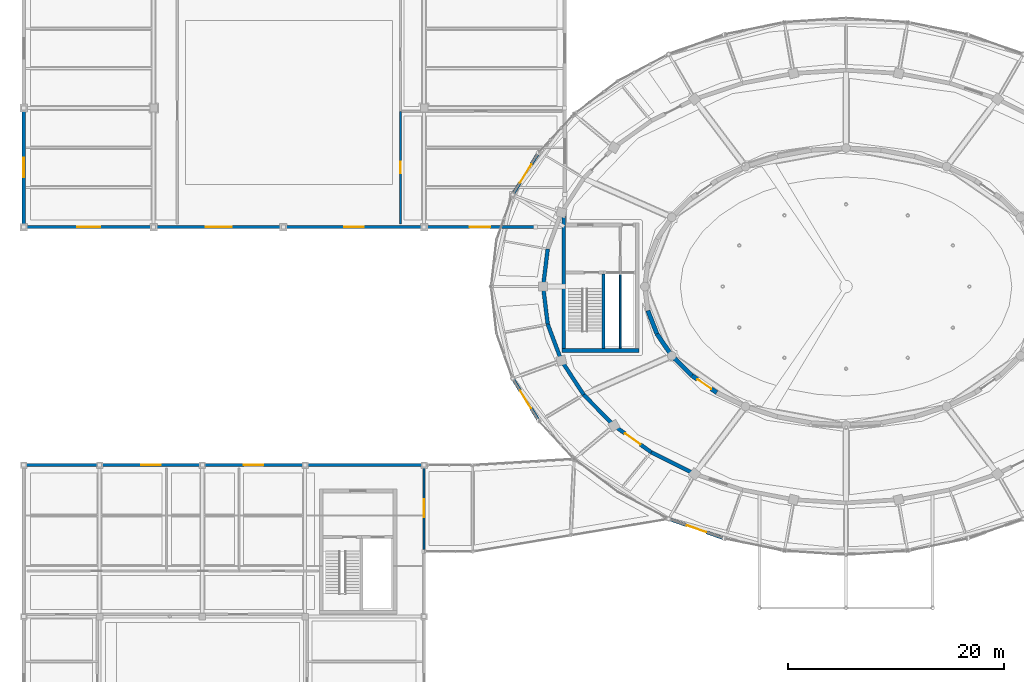
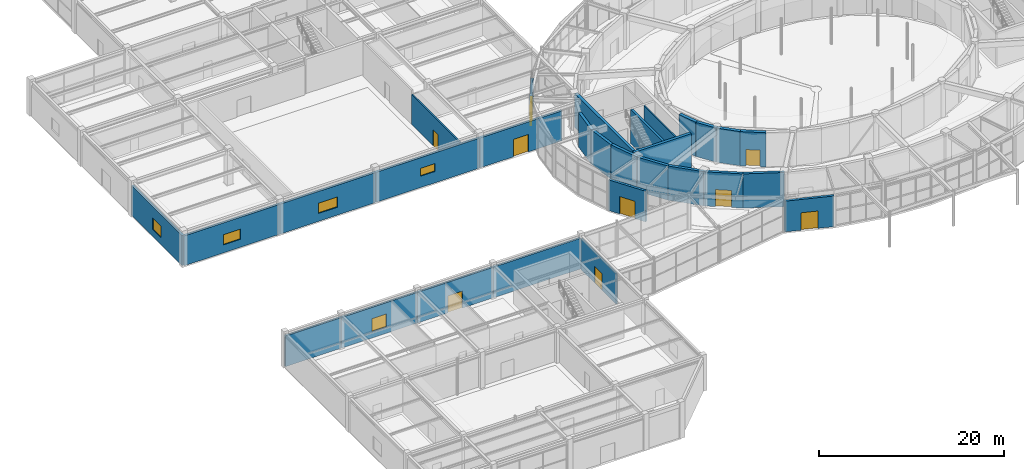
# One storey, part 87 of 108: 29 walls, 9 doors, 5 windows, 14 openings.
"""IFC4 building model written with IfcOpenShell, lengths in metres."""

from ifc_helpers import new_model, si_unit, direction, frame, frame_2d, origin, place, context, subcontext, project, spatial, rectangle, extrude, material, layer, layer_set, type_object, element, fill, save


model = new_model("IFC4")

# Units and contexts
model_context = context("Model", 3, precision=1e-05, world=origin(), true_north=direction((0.0, 1.0)))
body_context = subcontext(model_context, "Body", "Model", "MODEL_VIEW")
ifc_project = project(units=[si_unit("LENGTHUNIT", "METRE"), si_unit("AREAUNIT", "SQUARE_METRE"), si_unit("VOLUMEUNIT", "CUBIC_METRE"), si_unit("PLANEANGLEUNIT", "RADIAN"), si_unit("MASSUNIT", "GRAM", prefix="KILO")], contexts=[model_context])

# Site, building, storey
site_placement = place(None, origin())
site = spatial("IfcSite", under=ifc_project, at=site_placement, CompositionType="ELEMENT")
building_placement = place(site_placement, origin())
building = spatial("IfcBuilding", under=site, at=building_placement, Name="Tarnveldt Headland Concert Hall", CompositionType="ELEMENT")
storey_placement = place(building_placement, origin())
storey = spatial("IfcBuildingStorey", under=building, at=storey_placement, Name="L00", CompositionType="ELEMENT", Elevation=0.0)

# Walls
ifc_material_1 = material(Name="Concrete C40/50", Category="concrete")
ifc_layer_1 = layer(ifc_material_1, 0.39990234375, Name="Concrete C40/50", Category="concrete")
ifc_layer_set_1 = layer_set([ifc_layer_1], Name="Concrete C40/50")
wall_type_1 = type_object("IfcWallType", Name="WL-AC400", PredefinedType="SOLIDWALL", material=ifc_layer_set_1)
wall_1_placement = place(storey_placement, frame((65.1826171875, 52.27734375, 0.0), z_axis=(0.0, 0.0, 1.0), x_axis=(0.362802811216, -0.931865934657, 0.0)))
element("IfcWall", 1, at=wall_1_placement, inside=storey, type_object=wall_type_1, Name="Acoustic inner box wall L00-20", PredefinedType="SOLIDWALL", context=body_context, shape_type="SweptSolid", body=[
    extrude(rectangle(XDim=2.312744140625, YDim=0.39990234375, at=frame_2d((1.15625, 0.0))), origin(), (0.0, 0.0, 1.0), 4.52001953125),
])
wall_2_placement = place(storey_placement, frame((66.021728515625, 50.1220703125, 0.0), z_axis=(0.0, 0.0, 1.0), x_axis=(0.560958648975, -0.827843822312, 0.0)))
element("IfcWall", 2, at=wall_2_placement, inside=storey, type_object=wall_type_1, Name="Acoustic inner box wall L00-21", PredefinedType="SOLIDWALL", context=body_context, shape_type="SweptSolid", body=[
    extrude(rectangle(XDim=2.4423828125, YDim=0.39990234375, at=frame_2d((1.22119140625, 0.0))), origin(), (0.0, 0.0, 1.0), 4.52001953125),
])
wall_3_placement = place(storey_placement, frame((67.391845703125, 48.10009765625, 0.0), z_axis=(0.0, 0.0, 1.0), x_axis=(0.713212431679, -0.700947949065, 0.0)))
element("IfcWall", 3, at=wall_3_placement, inside=storey, type_object=wall_type_1, Name="Acoustic inner box wall L00-22", PredefinedType="SOLIDWALL", context=body_context, shape_type="SweptSolid", body=[
    extrude(rectangle(XDim=2.607666015625, YDim=0.39990234375, at=frame_2d((1.3037109375, 0.0))), origin(), (0.0, 0.0, 1.0), 4.52001953125),
])

# Wall, opening, door
wall_4_placement = place(storey_placement, frame((69.251708984375, 46.272216796875, 0.0), z_axis=(0.0, 0.0, 1.0), x_axis=(0.823780742291, -0.566908536388, 0.0)))
wall_4 = element("IfcWall", 4, at=wall_4_placement, inside=storey, type_object=wall_type_1, Name="Acoustic inner box wall L00-23", PredefinedType="SOLIDWALL", context=body_context, shape_type="SweptSolid", body=[
    extrude(rectangle(XDim=2.782958984375, YDim=0.39990234375, at=frame_2d((1.3916015625, 0.0))), origin(), (0.0, 0.0, 1.0), 4.52001953125),
])
opening_1_placement = place(wall_4_placement, frame((0.616455078125, 0.0, 0.0)))
opening_1 = element("IfcOpeningElement", 5, at=opening_1_placement, cuts=wall_4, Name="Opening AD-I031", PredefinedType="OPENING", context=body_context, shape_type="SweptSolid", body=[
    extrude(rectangle(XDim=1.550048828125, YDim=2.179931640625, at=frame_2d((0.77490234375, 1.08984375))), frame((0.0, 0.2099609375, 0.0), z_axis=(0.0, -1.0, 0.0), x_axis=(1.0, 0.0, 0.0)), (0.0, 0.0, 1.0), 0.419921875),
])
ifc_material_2 = material(Name="Treated East African mvule hardwood", Category="wood")
door_type_1 = type_object("IfcDoorType", Name="DR-AC155", OperationType="NOTDEFINED", PredefinedType="DOOR", material=ifc_material_2)
door_1_placement = place(opening_1_placement, origin())
door_1 = element("IfcDoor", 6, at=door_1_placement, inside=storey, type_object=door_type_1, Name="Auditorium sound-lock vomitory door L00-23", OperationType="SINGLE_SWING_LEFT", OverallHeight=2.179931640625, OverallWidth=1.550048828125, PredefinedType="DOOR", context=body_context, shape_type="SweptSolid", body=[
    extrude(rectangle(XDim=1.550048828125, YDim=2.179931640625, at=frame_2d((0.77490234375, 1.08984375))), frame((0.0, 0.02490234375, 0.0), z_axis=(0.0, -1.0, 0.0), x_axis=(1.0, 0.0, 0.0)), (0.0, 0.0, 1.0), 0.050048828125),
])
fill(opening_1, door_1)

# Walls
ifc_layer_2 = layer(ifc_material_1, 0.35009765625, Name="Concrete C40/50", Category="concrete")
ifc_layer_set_2 = layer_set([ifc_layer_2], Name="Concrete C40/50")
wall_type_2 = type_object("IfcWallType", Name="WL-CR350", PredefinedType="SHEAR", material=ifc_layer_set_2)
for number, where, z_axis, x_axis, name in (
    (7, (55.92529296875, 57.972900390625, 0.0), (0.0, 0.0, 1.0), (-0.121552414401, -0.99258501427, 0.0), "Symphony drum shear wall L00-18"),
    (8, (55.5, 54.5, 0.0), (0.0, 0.0, 1.0), (0.121552414401, -0.99258501427, 0.0), "Symphony drum shear wall L00-19"),
):
    element("IfcWall", number, at=place(storey_placement, frame(where, z_axis=z_axis, x_axis=x_axis)), inside=storey, type_object=wall_type_2, Name=name, PredefinedType="SHEAR", context=body_context, shape_type="SweptSolid", body=[
        extrude(rectangle(XDim=3.498779296875, YDim=0.35009765625, at=frame_2d((1.74951171875, 0.0))), origin(), (0.0, 0.0, 1.0), 4.52001953125),
    ])
wall_5_placement = place(storey_placement, frame((55.92529296875, 51.027099609375, 0.0), z_axis=(0.0, 0.0, 1.0), x_axis=(0.351279653979, -0.936270583058, 0.0)))
element("IfcWall", 9, at=wall_5_placement, inside=storey, type_object=wall_type_2, Name="Symphony drum shear wall L00-20", PredefinedType="SHEAR", context=body_context, shape_type="SweptSolid", body=[
    extrude(rectangle(XDim=3.5966796875, YDim=0.35009765625, at=frame_2d((1.79833984375, 0.0))), origin(), (0.0, 0.0, 1.0), 4.52001953125),
])
wall_6_placement = place(storey_placement, frame((57.188720703125, 47.65966796875, 0.0), z_axis=(0.0, 0.0, 1.0), x_axis=(0.546611158382, -0.837386554425, 0.0)))
element("IfcWall", 10, at=wall_6_placement, inside=storey, type_object=wall_type_2, Name="Symphony drum shear wall L00-21", PredefinedType="SHEAR", context=body_context, shape_type="SweptSolid", body=[
    extrude(rectangle(XDim=3.773193359375, YDim=0.35009765625, at=frame_2d((1.88671875, 0.0))), origin(), (0.0, 0.0, 1.0), 4.52001953125),
])
wall_7_placement = place(storey_placement, frame((59.251220703125, 44.5, 0.0), z_axis=(0.0, 0.0, 1.0), x_axis=(0.700051268358, -0.714092586203, 0.0)))
element("IfcWall", 11, at=wall_7_placement, inside=storey, type_object=wall_type_2, Name="Symphony drum shear wall L00-22", PredefinedType="SHEAR", context=body_context, shape_type="SweptSolid", body=[
    extrude(rectangle(XDim=3.9990234375, YDim=0.35009765625, at=frame_2d((1.99951171875, 0.0))), origin(), (0.0, 0.0, 1.0), 4.52001953125),
])

# Wall, opening, door
wall_8_placement = place(storey_placement, frame((62.05078125, 41.644287109375, 0.0), z_axis=(0.0, 0.0, 1.0), x_axis=(0.813737360708, -0.581232748378, 0.0)))
wall_8 = element("IfcWall", 12, at=wall_8_placement, inside=storey, type_object=wall_type_2, Name="Symphony drum shear wall L00-23", PredefinedType="SHEAR", context=body_context, shape_type="SweptSolid", body=[
    extrude(rectangle(XDim=4.2412109375, YDim=0.35009765625, at=frame_2d((2.12060546875, 0.0))), origin(), (0.0, 0.0, 1.0), 4.52001953125),
])
opening_2_placement = place(wall_8_placement, frame((1.24560546875, 0.0, 0.0)))
opening_2 = element("IfcOpeningElement", 13, at=opening_2_placement, cuts=wall_8, Name="Opening AD-O009", PredefinedType="OPENING", context=body_context, shape_type="SweptSolid", body=[
    extrude(rectangle(XDim=1.75, YDim=2.25, at=frame_2d((0.875, 1.125))), frame((0.0, 0.18505859375, 0.0), z_axis=(0.0, -1.0, 0.0), x_axis=(1.0, 0.0, 0.0)), (0.0, 0.0, 1.0), 0.3701171875),
])
door_type_2 = type_object("IfcDoorType", Name="DR-AC175", OperationType="NOTDEFINED", PredefinedType="DOOR", material=ifc_material_2)
door_2_placement = place(opening_2_placement, origin())
door_2 = element("IfcDoor", 14, at=door_2_placement, inside=storey, type_object=door_type_2, Name="Drum concourse acoustic door L00-23", OperationType="SINGLE_SWING_LEFT", OverallHeight=2.25, OverallWidth=1.75, PredefinedType="DOOR", context=body_context, shape_type="SweptSolid", body=[
    extrude(rectangle(XDim=1.75, YDim=2.25, at=frame_2d((0.875, 1.125))), frame((0.0, 0.02490234375, 0.0), z_axis=(0.0, -1.0, 0.0), x_axis=(1.0, 0.0, 0.0)), (0.0, 0.0, 1.0), 0.050048828125),
])
fill(opening_2, door_2)

# Walls
wall_9_placement = place(storey_placement, frame((65.501953125, 39.17919921875, 0.0), z_axis=(0.0, 0.0, 1.0), x_axis=(0.894361644392, -0.447344664705, 0.0)))
element("IfcWall", 15, at=wall_9_placement, inside=storey, type_object=wall_type_2, Name="Symphony drum shear wall L00-24", PredefinedType="SHEAR", context=body_context, shape_type="SweptSolid", body=[
    extrude(rectangle(XDim=4.47021484375, YDim=0.35009765625, at=frame_2d((2.235107421875, 0.0))), origin(), (0.0, 0.0, 1.0), 4.52001953125),
])
wall_10_placement = place(storey_placement, frame((57.22509765625, 48.60009765625, 0.0), z_axis=(0.0, 0.0, 1.0), x_axis=(1.0, 0.0, 0.0)))
element("IfcWall", 16, at=wall_10_placement, inside=storey, type_object=wall_type_2, Name="Core C1 south shear wall L00", PredefinedType="SHEAR", context=body_context, shape_type="SweptSolid", body=[
    extrude(rectangle(XDim=7.14990234375, YDim=0.35009765625, at=frame_2d((3.574951171875, 0.0))), origin(), (0.0, 0.0, 1.0), 4.52001953125),
])
wall_11_placement = place(storey_placement, frame((57.39990234375, 48.77490234375, 0.0), z_axis=(0.0, 0.0, 1.0), x_axis=(0.0, 1.0, 0.0)))
element("IfcWall", 17, at=wall_11_placement, inside=storey, type_object=wall_type_2, Name="Core C1 west shear wall L00", PredefinedType="SHEAR", context=body_context, shape_type="SweptSolid", body=[
    extrude(rectangle(XDim=12.565185546875, YDim=0.35009765625, at=frame_2d((6.28271484375, 0.0))), origin(), (0.0, 0.0, 1.0), 4.52001953125),
])
ifc_material_3 = material(Name="Coral-toned precast concrete C40/50", Category="concrete")
ifc_layer_3 = layer(ifc_material_3, 0.25, Name="Coral-toned precast concrete C40/50", Category="concrete")
ifc_layer_set_3 = layer_set([ifc_layer_3], Name="Coral-toned precast concrete C40/50")
wall_type_3 = type_object("IfcWallType", Name="WL-EX250", PredefinedType="SOLIDWALL", material=ifc_layer_set_3)
wall_12_placement = place(storey_placement, frame((33.52001953125, 38.0, 0.0), z_axis=(0.0, 0.0, 1.0), x_axis=(1.0, 0.0, 0.0)))
element("IfcWall", 18, at=wall_12_placement, inside=storey, type_object=wall_type_3, Name="External precast wall L00-207", PredefinedType="SOLIDWALL", context=body_context, shape_type="SweptSolid", body=[
    extrude(rectangle(XDim=10.9599609375, YDim=0.25, at=frame_2d((5.47998046875, 0.0))), origin(), (0.0, 0.0, 1.0), 4.05810546875),
])

# Wall, opening, door
wall_13_placement = place(storey_placement, frame((24.02001953125, 38.0, 0.0), z_axis=(0.0, 0.0, 1.0), x_axis=(1.0, 0.0, 0.0)))
wall_13 = element("IfcWall", 19, at=wall_13_placement, inside=storey, type_object=wall_type_3, Name="External precast wall L00-208", PredefinedType="SOLIDWALL", context=body_context, shape_type="SweptSolid", body=[
    extrude(rectangle(XDim=9.4599609375, YDim=0.25, at=frame_2d((4.72998046875, 0.0))), origin(), (0.0, 0.0, 1.0), 4.05810546875),
])
opening_3_placement = place(wall_13_placement, frame((3.830078125, 0.0, 0.0)))
opening_3 = element("IfcOpeningElement", 20, at=opening_3_placement, cuts=wall_13, Name="Opening EX-14", PredefinedType="OPENING", context=body_context, shape_type="SweptSolid", body=[
    extrude(rectangle(XDim=1.800048828125, YDim=2.25, at=frame_2d((0.89990234375, 1.125))), frame((0.0, 0.135009765625, 0.0), z_axis=(0.0, -1.0, 0.0), x_axis=(1.0, 0.0, 0.0)), (0.0, 0.0, 1.0), 0.27001953125),
])
ifc_material_4 = material(Name="Marine-anodised aluminium EN AW-6063-T6", Category="aluminium")
door_type_3 = type_object("IfcDoorType", Name="DR-EX180", OperationType="NOTDEFINED", PredefinedType="DOOR", material=ifc_material_4)
door_3_placement = place(opening_3_placement, origin())
door_3 = element("IfcDoor", 21, at=door_3_placement, inside=storey, type_object=door_type_3, Name="Chamber pavilion exit door EX-14", OperationType="DOUBLE_DOOR_SINGLE_SWING", OverallHeight=2.25, OverallWidth=1.800048828125, PredefinedType="DOOR", context=body_context, shape_type="SweptSolid", body=[
    extrude(rectangle(XDim=1.800048828125, YDim=2.25, at=frame_2d((0.89990234375, 1.125))), frame((0.0, 0.02490234375, 0.0), z_axis=(0.0, -1.0, 0.0), x_axis=(1.0, 0.0, 0.0)), (0.0, 0.0, 1.0), 0.050048828125),
])
fill(opening_3, door_3)

# Wall, opening, window
wall_14_placement = place(storey_placement, frame((14.52001953125, 38.0, 0.0), z_axis=(0.0, 0.0, 1.0), x_axis=(1.0, 0.0, 0.0)))
wall_14 = element("IfcWall", 22, at=wall_14_placement, inside=storey, type_object=wall_type_3, Name="External precast wall L00-209", PredefinedType="SOLIDWALL", context=body_context, shape_type="SweptSolid", body=[
    extrude(rectangle(XDim=9.4599609375, YDim=0.25, at=frame_2d((4.72998046875, 0.0))), origin(), (0.0, 0.0, 1.0), 4.05810546875),
])
opening_4_placement = place(wall_14_placement, frame((3.830078125, 0.0, 0.85009765625)))
opening_4 = element("IfcOpeningElement", 23, at=opening_4_placement, cuts=wall_14, Name="Opening W-P098", PredefinedType="OPENING", context=body_context, shape_type="SweptSolid", body=[
    extrude(rectangle(XDim=1.800048828125, YDim=1.699951171875, at=frame_2d((0.89990234375, 0.85009765625))), frame((0.0, 0.135009765625, 0.0), z_axis=(0.0, -1.0, 0.0), x_axis=(1.0, 0.0, 0.0)), (0.0, 0.0, 1.0), 0.27001953125),
])
ifc_material_5 = material(Name="Acoustic laminated low-iron double glazing", Category="glass")
window_type_1 = type_object("IfcWindowType", Name="WN-12", PartitioningType="SINGLE_PANEL", PredefinedType="WINDOW", material=ifc_material_5)
window_1_placement = place(opening_4_placement, origin())
window_1 = element("IfcWindow", 24, at=window_1_placement, inside=storey, type_object=window_type_1, Name="Chamber pavilion window L00-N3", OverallHeight=1.699951171875, OverallWidth=1.800048828125, PartitioningType="SINGLE_PANEL", PredefinedType="WINDOW", context=body_context, shape_type="SweptSolid", body=[
    extrude(rectangle(XDim=1.800048828125, YDim=1.699951171875, at=frame_2d((0.89990234375, 0.85009765625))), frame((0.0, 0.030029296875, 0.0), z_axis=(0.0, -1.0, 0.0), x_axis=(1.0, 0.0, 0.0)), (0.0, 0.0, 1.0), 0.06005859375),
])
fill(opening_4, window_1)

# Wall
wall_15_placement = place(storey_placement, frame((7.52001953125, 38.0, 0.0), z_axis=(0.0, 0.0, 1.0), x_axis=(1.0, 0.0, 0.0)))
element("IfcWall", 25, at=wall_15_placement, inside=storey, type_object=wall_type_3, Name="External precast wall L00-210", PredefinedType="SOLIDWALL", context=body_context, shape_type="SweptSolid", body=[
    extrude(rectangle(XDim=6.9599609375, YDim=0.25, at=frame_2d((3.47998046875, 0.0))), origin(), (0.0, 0.0, 1.0), 4.05810546875),
])

# Wall, opening, door
ifc_layer_4 = layer(ifc_material_3, 0.300048828125, Name="Coral-toned precast concrete C40/50", Category="concrete")
ifc_layer_set_4 = layer_set([ifc_layer_4], Name="Coral-toned precast concrete C40/50")
wall_type_4 = type_object("IfcWallType", Name="WL-EX300", PredefinedType="SOLIDWALL", material=ifc_layer_set_4)
wall_16_placement = place(storey_placement, frame((52.688720703125, 62.9990234375, 0.0), z_axis=(0.0, 0.0, 1.0), x_axis=(0.524906145614, 0.851160113197, 0.0)))
wall_16 = element("IfcWall", 26, at=wall_16_placement, inside=storey, type_object=wall_type_4, Name="External precast wall L00-40", PredefinedType="SOLIDWALL", context=body_context, shape_type="SweptSolid", body=[
    extrude(rectangle(XDim=4.563232421875, YDim=0.300048828125, at=frame_2d((2.28173828125, 0.0))), origin(), (0.0, 0.0, 1.0), 3.9580078125),
])
opening_5_placement = place(wall_16_placement, frame((1.281494140625, 0.0, 0.0)))
opening_5 = element("IfcOpeningElement", 27, at=opening_5_placement, cuts=wall_16, Name="Opening EX-04", PredefinedType="OPENING", context=body_context, shape_type="SweptSolid", body=[
    extrude(rectangle(XDim=2.0, YDim=2.300048828125, at=frame_2d((1.0, 1.14990234375))), frame((0.0, 0.159912109375, 0.0), z_axis=(0.0, -1.0, 0.0), x_axis=(1.0, 0.0, 0.0)), (0.0, 0.0, 1.0), 0.320068359375),
])
door_type_4 = type_object("IfcDoorType", Name="DR-EX200", OperationType="NOTDEFINED", PredefinedType="DOOR", material=ifc_material_4)
door_4_placement = place(opening_5_placement, origin())
door_4 = element("IfcDoor", 28, at=door_4_placement, inside=storey, type_object=door_type_4, Name="Foyer final exit door EX-04", OperationType="DOUBLE_DOOR_SINGLE_SWING", OverallHeight=2.300048828125, OverallWidth=2.0, PredefinedType="DOOR", context=body_context, shape_type="SweptSolid", body=[
    extrude(rectangle(XDim=2.0, YDim=2.300048828125, at=frame_2d((1.0, 1.14990234375))), frame((0.0, 0.02490234375, 0.0), z_axis=(0.0, -1.0, 0.0), x_axis=(1.0, 0.0, 0.0)), (0.0, 0.0, 1.0), 0.050048828125),
])
fill(opening_5, door_4)

wall_17_placement = place(storey_placement, frame((55.083984375, 42.116943359375, 0.0), z_axis=(0.0, 0.0, 1.0), x_axis=(-0.524906145614, 0.851160113197, 0.0)))
wall_17 = element("IfcWall", 29, at=wall_17_placement, inside=storey, type_object=wall_type_4, Name="External precast wall L00-41", PredefinedType="SOLIDWALL", context=body_context, shape_type="SweptSolid", body=[
    extrude(rectangle(XDim=4.563232421875, YDim=0.300048828125, at=frame_2d((2.28173828125, 0.0))), origin(), (0.0, 0.0, 1.0), 4.05810546875),
])
opening_6_placement = place(wall_17_placement, frame((1.33154296875, 0.0, 0.0)))
opening_6 = element("IfcOpeningElement", 30, at=opening_6_placement, cuts=wall_17, Name="Opening EX-05", PredefinedType="OPENING", context=body_context, shape_type="SweptSolid", body=[
    extrude(rectangle(XDim=1.89990234375, YDim=2.300048828125, at=frame_2d((0.949951171875, 1.14990234375))), frame((0.0, 0.159912109375, 0.0), z_axis=(0.0, -1.0, 0.0), x_axis=(1.0, 0.0, 0.0)), (0.0, 0.0, 1.0), 0.320068359375),
])
door_type_5 = type_object("IfcDoorType", Name="DR-EX190", OperationType="NOTDEFINED", PredefinedType="DOOR", material=ifc_material_4)
door_5_placement = place(opening_6_placement, origin())
door_5 = element("IfcDoor", 31, at=door_5_placement, inside=storey, type_object=door_type_5, Name="Foyer final exit door EX-05", OperationType="DOUBLE_DOOR_SINGLE_SWING", OverallHeight=2.300048828125, OverallWidth=1.89990234375, PredefinedType="DOOR", context=body_context, shape_type="SweptSolid", body=[
    extrude(rectangle(XDim=1.89990234375, YDim=2.300048828125, at=frame_2d((0.949951171875, 1.14990234375))), frame((0.0, 0.02490234375, 0.0), z_axis=(0.0, -1.0, 0.0), x_axis=(1.0, 0.0, 0.0)), (0.0, 0.0, 1.0), 0.050048828125),
])
fill(opening_6, door_5)

wall_18_placement = place(storey_placement, frame((72.2626953125, 31.202392578125, 0.0), z_axis=(0.0, 0.0, 1.0), x_axis=(-0.943104319689, 0.332496980713, 0.0)))
wall_18 = element("IfcWall", 32, at=wall_18_placement, inside=storey, type_object=wall_type_4, Name="External precast wall L00-42", PredefinedType="SOLIDWALL", context=body_context, shape_type="SweptSolid", body=[
    extrude(rectangle(XDim=5.4541015625, YDim=0.300048828125, at=frame_2d((2.72705078125, 0.0))), origin(), (0.0, 0.0, 1.0), 4.05810546875),
])
opening_7_placement = place(wall_18_placement, frame((1.777099609375, 0.0, 0.0)))
opening_7 = element("IfcOpeningElement", 33, at=opening_7_placement, cuts=wall_18, Name="Opening EX-06", PredefinedType="OPENING", context=body_context, shape_type="SweptSolid", body=[
    extrude(rectangle(XDim=1.89990234375, YDim=2.300048828125, at=frame_2d((0.949951171875, 1.14990234375))), frame((0.0, 0.159912109375, 0.0), z_axis=(0.0, -1.0, 0.0), x_axis=(1.0, 0.0, 0.0)), (0.0, 0.0, 1.0), 0.320068359375),
])
door_6_placement = place(opening_7_placement, origin())
door_6 = element("IfcDoor", 34, at=door_6_placement, inside=storey, type_object=door_type_5, Name="Foyer final exit door EX-06", OperationType="DOUBLE_DOOR_SINGLE_SWING", OverallHeight=2.300048828125, OverallWidth=1.89990234375, PredefinedType="DOOR", context=body_context, shape_type="SweptSolid", body=[
    extrude(rectangle(XDim=1.89990234375, YDim=2.300048828125, at=frame_2d((0.949951171875, 1.14990234375))), frame((0.0, 0.02490234375, 0.0), z_axis=(0.0, -1.0, 0.0), x_axis=(1.0, 0.0, 0.0)), (0.0, 0.0, 1.0), 0.050048828125),
])
fill(opening_7, door_6)

# Wall, opening, window
wall_19_placement = place(storey_placement, frame((19.47998046875, 60.0, 0.0), z_axis=(0.0, 0.0, 1.0), x_axis=(-1.0, 0.0, 0.0)))
wall_19 = element("IfcWall", 35, at=wall_19_placement, inside=storey, type_object=wall_type_4, Name="External precast wall L00-264", PredefinedType="SOLIDWALL", context=body_context, shape_type="SweptSolid", body=[
    extrude(rectangle(XDim=11.9599609375, YDim=0.300048828125, at=frame_2d((5.97998046875, 0.0))), origin(), (0.0, 0.0, 1.0), 3.9580078125),
])
opening_8_placement = place(wall_19_placement, frame((4.929931640625, 0.0, 1.050048828125)))
opening_8 = element("IfcOpeningElement", 36, at=opening_8_placement, cuts=wall_19, Name="Opening W-R106", PredefinedType="OPENING", context=body_context, shape_type="SweptSolid", body=[
    extrude(rectangle(XDim=2.10009765625, YDim=1.35009765625, at=frame_2d((1.050048828125, 0.675048828125))), frame((0.0, 0.159912109375, 0.0), z_axis=(0.0, -1.0, 0.0), x_axis=(1.0, 0.0, 0.0)), (0.0, 0.0, 1.0), 0.320068359375),
])
window_type_2 = type_object("IfcWindowType", Name="WN-19", PartitioningType="SINGLE_PANEL", PredefinedType="WINDOW", material=ifc_material_5)
window_2_placement = place(opening_8_placement, origin())
window_2 = element("IfcWindow", 37, at=window_2_placement, inside=storey, type_object=window_type_2, Name="Rehearsal wing acoustic window L00-S1", OverallHeight=1.35009765625, OverallWidth=2.10009765625, PartitioningType="SINGLE_PANEL", PredefinedType="WINDOW", context=body_context, shape_type="SweptSolid", body=[
    extrude(rectangle(XDim=2.10009765625, YDim=1.35009765625, at=frame_2d((1.050048828125, 0.675048828125))), frame((0.0, 0.030029296875, 0.0), z_axis=(0.0, -1.0, 0.0), x_axis=(1.0, 0.0, 0.0)), (0.0, 0.0, 1.0), 0.06005859375),
])
fill(opening_8, window_2)

wall_20_placement = place(storey_placement, frame((31.47998046875, 60.0, 0.0), z_axis=(0.0, 0.0, 1.0), x_axis=(-1.0, 0.0, 0.0)))
wall_20 = element("IfcWall", 38, at=wall_20_placement, inside=storey, type_object=wall_type_4, Name="External precast wall L00-265", PredefinedType="SOLIDWALL", context=body_context, shape_type="SweptSolid", body=[
    extrude(rectangle(XDim=11.9599609375, YDim=0.300048828125, at=frame_2d((5.97998046875, 0.0))), origin(), (0.0, 0.0, 1.0), 3.9580078125),
])
opening_9_placement = place(wall_20_placement, frame((4.780029296875, 0.0, 1.050048828125)))
opening_9 = element("IfcOpeningElement", 39, at=opening_9_placement, cuts=wall_20, Name="Opening W-R107", PredefinedType="OPENING", context=body_context, shape_type="SweptSolid", body=[
    extrude(rectangle(XDim=2.39990234375, YDim=1.35009765625, at=frame_2d((1.199951171875, 0.675048828125))), frame((0.0, 0.159912109375, 0.0), z_axis=(0.0, -1.0, 0.0), x_axis=(1.0, 0.0, 0.0)), (0.0, 0.0, 1.0), 0.320068359375),
])
window_type_3 = type_object("IfcWindowType", Name="WN-20", PartitioningType="SINGLE_PANEL", PredefinedType="WINDOW", material=ifc_material_5)
window_3_placement = place(opening_9_placement, origin())
window_3 = element("IfcWindow", 40, at=window_3_placement, inside=storey, type_object=window_type_3, Name="Rehearsal wing acoustic window L00-S2", OverallHeight=1.35009765625, OverallWidth=2.39990234375, PartitioningType="SINGLE_PANEL", PredefinedType="WINDOW", context=body_context, shape_type="SweptSolid", body=[
    extrude(rectangle(XDim=2.39990234375, YDim=1.35009765625, at=frame_2d((1.199951171875, 0.675048828125))), frame((0.0, 0.030029296875, 0.0), z_axis=(0.0, -1.0, 0.0), x_axis=(1.0, 0.0, 0.0)), (0.0, 0.0, 1.0), 0.06005859375),
])
fill(opening_9, window_3)

wall_21_placement = place(storey_placement, frame((44.47998046875, 60.0, 0.0), z_axis=(0.0, 0.0, 1.0), x_axis=(-1.0, 0.0, 0.0)))
wall_21 = element("IfcWall", 41, at=wall_21_placement, inside=storey, type_object=wall_type_4, Name="External precast wall L00-266", PredefinedType="SOLIDWALL", context=body_context, shape_type="SweptSolid", body=[
    extrude(rectangle(XDim=12.9599609375, YDim=0.300048828125, at=frame_2d((6.47998046875, 0.0))), origin(), (0.0, 0.0, 1.0), 3.9580078125),
])
opening_10_placement = place(wall_21_placement, frame((5.580078125, 0.0, 1.5)))
opening_10 = element("IfcOpeningElement", 42, at=opening_10_placement, cuts=wall_21, Name="Opening W-R108", PredefinedType="OPENING", context=body_context, shape_type="SweptSolid", body=[
    extrude(rectangle(XDim=1.800048828125, YDim=1.050048828125, at=frame_2d((0.89990234375, 0.52490234375))), frame((0.0, 0.159912109375, 0.0), z_axis=(0.0, -1.0, 0.0), x_axis=(1.0, 0.0, 0.0)), (0.0, 0.0, 1.0), 0.320068359375),
])
window_type_4 = type_object("IfcWindowType", Name="WN-24", PartitioningType="SINGLE_PANEL", PredefinedType="WINDOW", material=ifc_material_5)
window_4_placement = place(opening_10_placement, origin())
window_4 = element("IfcWindow", 43, at=window_4_placement, inside=storey, type_object=window_type_4, Name="Rehearsal wing acoustic window L00-S3", OverallHeight=1.050048828125, OverallWidth=1.800048828125, PartitioningType="SINGLE_PANEL", PredefinedType="WINDOW", context=body_context, shape_type="SweptSolid", body=[
    extrude(rectangle(XDim=1.800048828125, YDim=1.050048828125, at=frame_2d((0.89990234375, 0.52490234375))), frame((0.0, 0.030029296875, 0.0), z_axis=(0.0, -1.0, 0.0), x_axis=(1.0, 0.0, 0.0)), (0.0, 0.0, 1.0), 0.06005859375),
])
fill(opening_10, window_4)

# Wall, opening, door
wall_22_placement = place(storey_placement, frame((54.780029296875, 60.0, 0.0), z_axis=(0.0, 0.0, 1.0), x_axis=(-1.0, 0.0, 0.0)))
wall_22 = element("IfcWall", 44, at=wall_22_placement, inside=storey, type_object=wall_type_4, Name="External precast wall L00-267", PredefinedType="SOLIDWALL", context=body_context, shape_type="SweptSolid", body=[
    extrude(rectangle(XDim=10.260009765625, YDim=0.300048828125, at=frame_2d((5.1298828125, 0.0))), origin(), (0.0, 0.0, 1.0), 3.9580078125),
])
opening_11_placement = place(wall_22_placement, frame((4.179931640625, 0.0, 0.0)))
opening_11 = element("IfcOpeningElement", 45, at=opening_11_placement, cuts=wall_22, Name="Opening EX-15", PredefinedType="OPENING", context=body_context, shape_type="SweptSolid", body=[
    extrude(rectangle(XDim=1.89990234375, YDim=2.300048828125, at=frame_2d((0.949951171875, 1.14990234375))), frame((0.0, 0.159912109375, 0.0), z_axis=(0.0, -1.0, 0.0), x_axis=(1.0, 0.0, 0.0)), (0.0, 0.0, 1.0), 0.320068359375),
])
door_7_placement = place(opening_11_placement, origin())
door_7 = element("IfcDoor", 46, at=door_7_placement, inside=storey, type_object=door_type_5, Name="Rehearsal wing exit door EX-15", OperationType="DOUBLE_DOOR_SINGLE_SWING", OverallHeight=2.300048828125, OverallWidth=1.89990234375, PredefinedType="DOOR", context=body_context, shape_type="SweptSolid", body=[
    extrude(rectangle(XDim=1.89990234375, YDim=2.300048828125, at=frame_2d((0.949951171875, 1.14990234375))), frame((0.0, 0.02490234375, 0.0), z_axis=(0.0, -1.0, 0.0), x_axis=(1.0, 0.0, 0.0)), (0.0, 0.0, 1.0), 0.050048828125),
])
fill(opening_11, door_7)

# Wall, opening, window
wall_23_placement = place(storey_placement, frame((7.5, 60.02001953125, 0.0), z_axis=(0.0, 0.0, 1.0), x_axis=(0.0, 1.0, 0.0)))
wall_23 = element("IfcWall", 47, at=wall_23_placement, inside=storey, type_object=wall_type_4, Name="External precast wall L00-279", PredefinedType="SOLIDWALL", context=body_context, shape_type="SweptSolid", body=[
    extrude(rectangle(XDim=10.9599609375, YDim=0.300048828125, at=frame_2d((5.47998046875, 0.0))), origin(), (0.0, 0.0, 1.0), 3.9580078125),
])
opening_12_placement = place(wall_23_placement, frame((4.580078125, 0.0, 0.89990234375)))
opening_12 = element("IfcOpeningElement", 48, at=opening_12_placement, cuts=wall_23, Name="Opening W-R115", PredefinedType="OPENING", context=body_context, shape_type="SweptSolid", body=[
    extrude(rectangle(XDim=1.800048828125, YDim=1.550048828125, at=frame_2d((0.89990234375, 0.77490234375))), frame((0.0, 0.159912109375, 0.0), z_axis=(0.0, -1.0, 0.0), x_axis=(1.0, 0.0, 0.0)), (0.0, 0.0, 1.0), 0.320068359375),
])
window_type_5 = type_object("IfcWindowType", Name="WN-05", PartitioningType="SINGLE_PANEL", PredefinedType="WINDOW", material=ifc_material_5)
window_5_placement = place(opening_12_placement, origin())
window_5 = element("IfcWindow", 49, at=window_5_placement, inside=storey, type_object=window_type_5, Name="Rehearsal wing acoustic window L00-W3", OverallHeight=1.550048828125, OverallWidth=1.800048828125, PartitioningType="SINGLE_PANEL", PredefinedType="WINDOW", context=body_context, shape_type="SweptSolid", body=[
    extrude(rectangle(XDim=1.800048828125, YDim=1.550048828125, at=frame_2d((0.89990234375, 0.77490234375))), frame((0.0, 0.030029296875, 0.0), z_axis=(0.0, -1.0, 0.0), x_axis=(1.0, 0.0, 0.0)), (0.0, 0.0, 1.0), 0.06005859375),
])
fill(opening_12, window_5)

# Wall
ifc_material_6 = material(Name="Acoustic multi-layer gypsum and mineral-wool partition", Category="gypsum")
ifc_layer_5 = layer(ifc_material_6, 0.14990234375, Name="Acoustic multi-layer gypsum and mineral-wool partition", Category="gypsum")
ifc_layer_set_5 = layer_set([ifc_layer_5], Name="Acoustic multi-layer gypsum and mineral-wool partition")
wall_type_5 = type_object("IfcWallType", Name="WL-PT150", PredefinedType="PARTITIONING", material=ifc_layer_set_5)
wall_24_placement = place(storey_placement, frame((62.632568359375, 48.77490234375, 0.0), z_axis=(0.0, 0.0, 1.0), x_axis=(0.0, 1.0, 0.0)))
element("IfcWall", 50, at=wall_24_placement, inside=storey, type_object=wall_type_5, Name="Core C1 twin lift divider L00", PredefinedType="PARTITIONING", context=body_context, shape_type="SweptSolid", body=[
    extrude(rectangle(XDim=6.8251953125, YDim=0.14990234375, at=frame_2d((3.41259765625, 0.0))), origin(), (0.0, 0.0, 1.0), 4.513916015625),
])

# Wall, opening, door
ifc_layer_6 = layer(ifc_material_6, 0.18505859375, Name="Acoustic multi-layer gypsum and mineral-wool partition", Category="gypsum")
ifc_layer_set_6 = layer_set([ifc_layer_6], Name="Acoustic multi-layer gypsum and mineral-wool partition")
wall_type_6 = type_object("IfcWallType", Name="WL-PT185", PredefinedType="PARTITIONING", material=ifc_layer_set_6)
wall_25_placement = place(storey_placement, frame((44.5, 30.199951171875, 0.0), z_axis=(0.0, 0.0, 1.0), x_axis=(0.0, 1.0, 0.0)))
wall_25 = element("IfcWall", 51, at=wall_25_placement, inside=storey, type_object=wall_type_6, Name="Interior acoustic partition L00-21", PredefinedType="PARTITIONING", context=body_context, shape_type="SweptSolid", body=[
    extrude(rectangle(XDim=7.60009765625, YDim=0.18505859375, at=frame_2d((3.800048828125, 0.0))), origin(), (0.0, 0.0, 1.0), 4.06005859375),
])
opening_13_placement = place(wall_25_placement, frame((2.97509765625, 0.0, 0.0)))
opening_13 = element("IfcOpeningElement", 52, at=opening_13_placement, cuts=wall_25, Name="Opening D-L00-060", PredefinedType="OPENING", context=body_context, shape_type="SweptSolid", body=[
    extrude(rectangle(XDim=1.64990234375, YDim=2.199951171875, at=frame_2d((0.824951171875, 1.10009765625))), frame((0.0, 0.1025390625, 0.0), z_axis=(0.0, -1.0, 0.0), x_axis=(1.0, 0.0, 0.0)), (0.0, 0.0, 1.0), 0.205078125),
])
door_type_6 = type_object("IfcDoorType", Name="DR-AC165", OperationType="NOTDEFINED", PredefinedType="DOOR", material=ifc_material_2)
door_8_placement = place(opening_13_placement, origin())
door_8 = element("IfcDoor", 53, at=door_8_placement, inside=storey, type_object=door_type_6, Name="Interior room door L00-60", OperationType="SINGLE_SWING_RIGHT", OverallHeight=2.199951171875, OverallWidth=1.64990234375, PredefinedType="DOOR", context=body_context, shape_type="SweptSolid", body=[
    extrude(rectangle(XDim=1.64990234375, YDim=2.199951171875, at=frame_2d((0.824951171875, 1.10009765625))), frame((0.0, 0.02490234375, 0.0), z_axis=(0.0, -1.0, 0.0), x_axis=(1.0, 0.0, 0.0)), (0.0, 0.0, 1.0), 0.050048828125),
])
fill(opening_13, door_8)

wall_26_placement = place(storey_placement, frame((42.300048828125, 60.300048828125, 0.0), z_axis=(0.0, 0.0, 1.0), x_axis=(0.0, 1.0, 0.0)))
wall_26 = element("IfcWall", 54, at=wall_26_placement, inside=storey, type_object=wall_type_6, Name="Interior acoustic partition L00-64", PredefinedType="PARTITIONING", context=body_context, shape_type="SweptSolid", body=[
    extrude(rectangle(XDim=10.39990234375, YDim=0.18505859375, at=frame_2d((5.199951171875, 0.0))), origin(), (0.0, 0.0, 1.0), 3.9599609375),
])
opening_14_placement = place(wall_26_placement, frame((4.675048828125, 0.0, 0.0)))
opening_14 = element("IfcOpeningElement", 55, at=opening_14_placement, cuts=wall_26, Name="Opening D-L00-091", PredefinedType="OPENING", context=body_context, shape_type="SweptSolid", body=[
    extrude(rectangle(XDim=1.050048828125, YDim=2.14990234375, at=frame_2d((0.52490234375, 1.074951171875))), frame((0.0, 0.1025390625, 0.0), z_axis=(0.0, -1.0, 0.0), x_axis=(1.0, 0.0, 0.0)), (0.0, 0.0, 1.0), 0.205078125),
])
door_type_7 = type_object("IfcDoorType", Name="DR-RM105", OperationType="NOTDEFINED", PredefinedType="DOOR", material=ifc_material_2)
door_9_placement = place(opening_14_placement, origin())
door_9 = element("IfcDoor", 56, at=door_9_placement, inside=storey, type_object=door_type_7, Name="Interior room door L00-91", OperationType="SINGLE_SWING_LEFT", OverallHeight=2.14990234375, OverallWidth=1.050048828125, PredefinedType="DOOR", context=body_context, shape_type="SweptSolid", body=[
    extrude(rectangle(XDim=1.050048828125, YDim=2.14990234375, at=frame_2d((0.52490234375, 1.074951171875))), frame((0.0, 0.02490234375, 0.0), z_axis=(0.0, -1.0, 0.0), x_axis=(1.0, 0.0, 0.0)), (0.0, 0.0, 1.0), 0.050048828125),
])
fill(opening_14, door_9)

# Wall
ifc_layer_7 = layer(ifc_material_1, 0.27490234375, Name="Concrete C40/50", Category="concrete")
ifc_layer_set_7 = layer_set([ifc_layer_7], Name="Concrete C40/50")
wall_type_7 = type_object("IfcWallType", Name="WL-SH275", PredefinedType="SHEAR", material=ifc_layer_set_7)
wall_27_placement = place(storey_placement, frame((61.10009765625, 48.77490234375, 0.0), z_axis=(0.0, 0.0, 1.0), x_axis=(0.0, 1.0, 0.0)))
element("IfcWall", 57, at=wall_27_placement, inside=storey, type_object=wall_type_7, Name="Core C1 shaft divider wall L00", PredefinedType="SHEAR", context=body_context, shape_type="SweptSolid", body=[
    extrude(rectangle(XDim=6.8876953125, YDim=0.27490234375, at=frame_2d((3.44384765625, 0.0))), origin(), (0.0, 0.0, 1.0), 4.52001953125),
])

save(model, "model.ifc")
